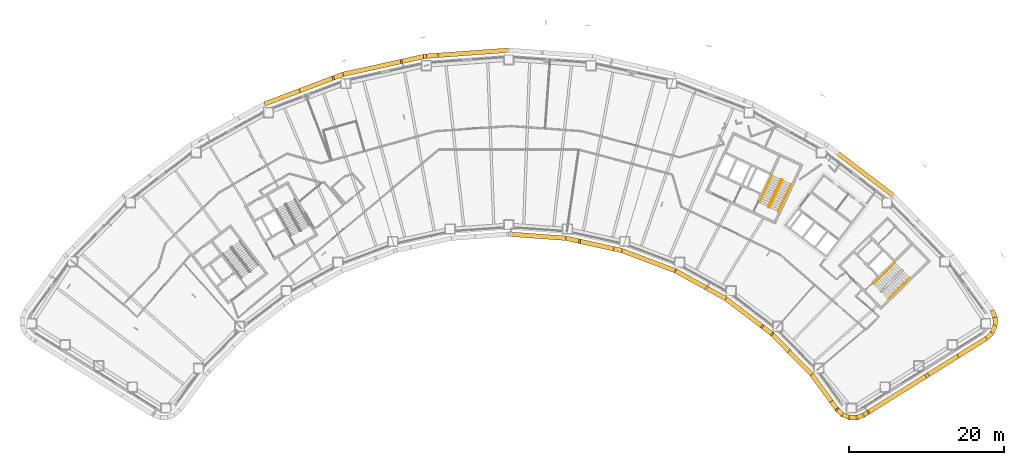
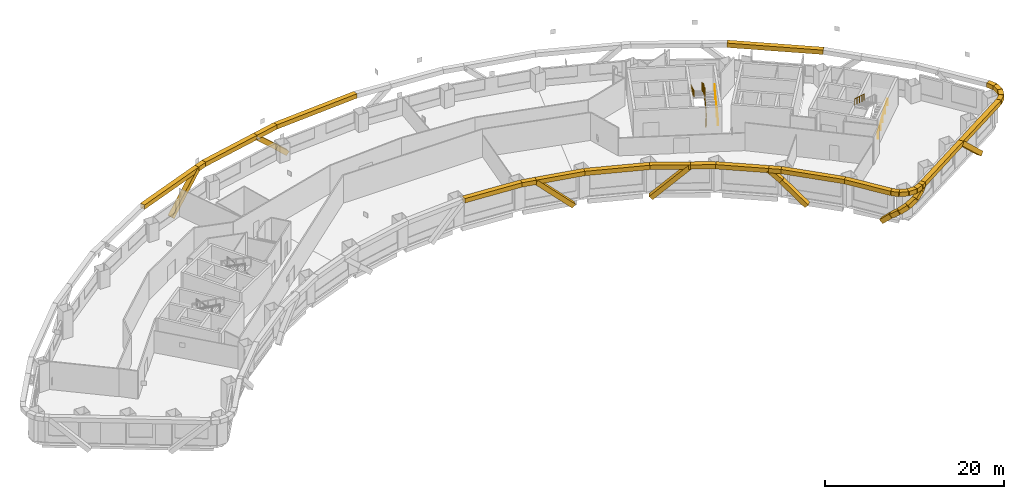
# One storey, part 17 of 19: 41 coverings, 5 railings.
"""IFC4 building model written with IfcOpenShell, lengths in metres."""

from ifc_helpers import new_model, si_unit, direction, frame, origin, origin_2d, place, context, subcontext, project, spatial, rectangle, circle, extrude, material, material_profile, profile_set, type_object, element, save


model = new_model("IFC4")

# Units and contexts
model_context = context("Model", 3, precision=1e-05, world=origin(), true_north=direction((0.0, 1.0)))
body_context = subcontext(model_context, "Body", "Model", "MODEL_VIEW")
ifc_project = project(units=[si_unit("LENGTHUNIT", "METRE"), si_unit("AREAUNIT", "SQUARE_METRE"), si_unit("VOLUMEUNIT", "CUBIC_METRE"), si_unit("PLANEANGLEUNIT", "RADIAN"), si_unit("MASSUNIT", "GRAM", prefix="KILO")], contexts=[model_context])

# Site, building, storey
site_placement = place(None, origin())
site = spatial("IfcSite", under=ifc_project, at=site_placement, CompositionType="ELEMENT")
building_placement = place(site_placement, origin())
building = spatial("IfcBuilding", under=site, at=building_placement, Name="Tuul Gate Civic Tower", CompositionType="ELEMENT")
storey_placement = place(building_placement, frame((0.0, 0.0, 56.699951171875)))
storey = spatial("IfcBuildingStorey", under=building, at=storey_placement, Name="Level 12", CompositionType="ELEMENT", Elevation=56.699951171875)

# Railings
ifc_material_1 = material(Name="Painted steel", Category="steel")
railing_type_1 = type_object("IfcRailingType", Name="Stair guard", PredefinedType="GUARDRAIL", material=ifc_material_1)
railing_1_placement = place(storey_placement, frame((33.645751953125, -5.238525390625, 0.0)))
element("IfcRailing", 1, at=railing_1_placement, inside=storey, type_object=railing_type_1, Name="Level 12 ST-4 stair guard 1", PredefinedType="GUARDRAIL", context=body_context, shape_type="SweptSolid", body=[
    extrude(circle(Radius=0.02392578125, at=origin_2d()), frame((0.0, 0.0, 1.076171875), z_axis=(-0.906307919131, 0.422617978463, 0.0), x_axis=(-0.422617978463, -0.906307919131, 0.0)), (0.0, 0.0, 1.0), 0.099853515625),
    extrude(circle(Radius=0.02392578125, at=origin_2d()), frame((-0.090576171875, 0.042236328125, 1.076171875), z_axis=(0.720179819621, -0.082882280952, 0.688818956559), x_axis=(0.114330889033, 0.993442724979, 0.0)), (0.0, 0.0, 1.0), 0.218017578125),
    extrude(circle(Radius=0.02392578125, at=origin_2d()), frame((0.06640625, 0.024169921875, 1.22607421875), z_axis=(0.377946903738, 0.810654114417, 0.447209173356), x_axis=(-0.906336612539, 0.422556439746, 0.0)), (0.0, 0.0, 1.0), 4.3603515625),
    extrude(circle(Radius=0.02392578125, at=origin_2d()), frame((1.71435546875, 3.558837890625, 3.17626953125), z_axis=(-0.342020437038, 0.939692513883, 0.0), x_axis=(-0.939692513883, -0.342020437038, 0.0)), (0.0, 0.0, 1.0), 0.070556640625),
    extrude(circle(Radius=0.02392578125, at=origin_2d()), frame((1.690185546875, 3.625244140625, 3.17626953125), z_axis=(-0.906307919131, 0.422617978463, 0.0), x_axis=(-0.422617978463, -0.906307919131, 0.0)), (0.0, 0.0, 1.0), 0.099853515625),
    extrude(circle(Radius=0.02392578125, at=origin_2d()), frame((1.599609375, 3.66748046875, 3.17626953125), z_axis=(-0.40070210376, -0.145843780413, 0.904526072458), x_axis=(0.342020437038, -0.939692513883, 0.0)), (0.0, 0.0, 1.0), 0.165771484375),
    extrude(circle(Radius=0.02392578125, at=origin_2d()), frame((1.533203125, 3.643310546875, 3.326171875), z_axis=(-0.377946903738, -0.810654114417, 0.447209173356), x_axis=(0.906336612539, -0.422556439746, 0.0)), (0.0, 0.0, 1.0), 4.3603515625),
    extrude(circle(Radius=0.02099609375, at=origin_2d()), origin(), (0.0, 0.0, 1.0), 1.052001953125),
    extrude(circle(Radius=0.02099609375, at=origin_2d()), frame((-0.090576171875, 0.042236328125, 0.0)), (0.0, 0.0, 1.0), 1.052001953125),
    extrude(circle(Radius=0.02099609375, at=origin_2d()), frame((0.06640625, 0.024169921875, 0.150146484375)), (0.0, 0.0, 1.0), 1.052001953125),
    extrude(circle(Radius=0.02099609375, at=origin_2d()), frame((0.478515625, 0.90771484375, 0.6376953125)), (0.0, 0.0, 1.0), 1.052001953125),
    extrude(circle(Radius=0.02099609375, at=origin_2d()), frame((0.890380859375, 1.79150390625, 1.125)), (0.0, 0.0, 1.0), 1.052001953125),
    extrude(circle(Radius=0.02099609375, at=origin_2d()), frame((1.30224609375, 2.67529296875, 1.612548828125)), (0.0, 0.0, 1.0), 1.052001953125),
    extrude(circle(Radius=0.02099609375, at=origin_2d()), frame((1.71435546875, 3.558837890625, 2.10009765625)), (0.0, 0.0, 1.0), 1.052001953125),
    extrude(circle(Radius=0.02099609375, at=origin_2d()), frame((1.690185546875, 3.625244140625, 2.10009765625)), (0.0, 0.0, 1.0), 1.052001953125),
    extrude(circle(Radius=0.02099609375, at=origin_2d()), frame((1.599609375, 3.66748046875, 2.10009765625)), (0.0, 0.0, 1.0), 1.052001953125),
    extrude(circle(Radius=0.02099609375, at=origin_2d()), frame((1.533203125, 3.643310546875, 2.25)), (0.0, 0.0, 1.0), 1.052001953125),
    extrude(circle(Radius=0.02099609375, at=origin_2d()), frame((1.12109375, 2.759765625, 2.737548828125)), (0.0, 0.0, 1.0), 1.052001953125),
    extrude(circle(Radius=0.02099609375, at=origin_2d()), frame((0.709228515625, 1.8759765625, 3.22509765625)), (0.0, 0.0, 1.0), 1.052001953125),
    extrude(circle(Radius=0.02099609375, at=origin_2d()), frame((0.29736328125, 0.9921875, 3.71240234375)), (0.0, 0.0, 1.0), 1.052001953125),
    extrude(circle(Radius=0.02099609375, at=origin_2d()), frame((-0.11474609375, 0.108642578125, 4.199951171875)), (0.0, 0.0, 1.0), 1.052001953125),
])
ifc_material_2 = material(Name="Painted steel", Category="steel")
railing_type_2 = type_object("IfcRailingType", Name="Stair handrail", PredefinedType="HANDRAIL", material=ifc_material_2)
railing_2_placement = place(storey_placement, frame((49.05126953125, -17.028076171875, 0.150146484375)))
element("IfcRailing", 2, at=railing_2_placement, inside=storey, type_object=railing_type_2, Name="Level 12 ST-3 stair handrail 1", PredefinedType="HANDRAIL", context=body_context, shape_type="SweptSolid", body=[
    extrude(circle(Radius=0.02392578125, at=origin_2d()), frame((0.0, 0.0, 0.8759765625), z_axis=(0.638753653487, 0.626099522554, 0.447205945863), x_axis=(-0.699997553204, 0.714145241186, 0.0)), (0.0, 0.0, 1.0), 4.3603515625),
    extrude(circle(Radius=0.02099609375, at=origin_2d()), origin(), (0.0, 0.0, 1.0), 0.851806640625),
    extrude(circle(Radius=0.02099609375, at=origin_2d()), frame((0.6962890625, 0.6826171875, 0.487548828125)), (0.0, 0.0, 1.0), 0.851806640625),
    extrude(circle(Radius=0.02099609375, at=origin_2d()), frame((1.392578125, 1.364990234375, 0.97509765625)), (0.0, 0.0, 1.0), 0.851806640625),
    extrude(circle(Radius=0.02099609375, at=origin_2d()), frame((2.0888671875, 2.04736328125, 1.46240234375)), (0.0, 0.0, 1.0), 0.851806640625),
    extrude(circle(Radius=0.02099609375, at=origin_2d()), frame((2.78515625, 2.72998046875, 1.949951171875)), (0.0, 0.0, 1.0), 0.851806640625),
])
railing_3_placement = place(storey_placement, frame((49.9462890625, -12.369873046875, 2.25)))
element("IfcRailing", 3, at=railing_3_placement, inside=storey, type_object=railing_type_2, Name="Level 12 ST-3 stair handrail 2", PredefinedType="HANDRAIL", context=body_context, shape_type="SweptSolid", body=[
    extrude(circle(Radius=0.02392578125, at=origin_2d()), frame((0.0, 0.0, 0.8759765625), z_axis=(-0.638753653487, -0.626099522554, 0.447205945863), x_axis=(0.699997553204, -0.714145241186, 0.0)), (0.0, 0.0, 1.0), 4.3603515625),
    extrude(circle(Radius=0.02099609375, at=origin_2d()), origin(), (0.0, 0.0, 1.0), 0.851806640625),
    extrude(circle(Radius=0.02099609375, at=origin_2d()), frame((-0.6962890625, -0.6826171875, 0.487548828125)), (0.0, 0.0, 1.0), 0.851806640625),
    extrude(circle(Radius=0.02099609375, at=origin_2d()), frame((-1.392578125, -1.364990234375, 0.97509765625)), (0.0, 0.0, 1.0), 0.851806640625),
    extrude(circle(Radius=0.02099609375, at=origin_2d()), frame((-2.0888671875, -2.04736328125, 1.46240234375)), (0.0, 0.0, 1.0), 0.851806640625),
    extrude(circle(Radius=0.02099609375, at=origin_2d()), frame((-2.78515625, -2.72998046875, 1.949951171875)), (0.0, 0.0, 1.0), 0.851806640625),
])
railing_4_placement = place(storey_placement, frame((34.844970703125, -5.74267578125, 0.150146484375)))
element("IfcRailing", 4, at=railing_4_placement, inside=storey, type_object=railing_type_2, Name="Level 12 ST-4 stair handrail 1", PredefinedType="HANDRAIL", context=body_context, shape_type="SweptSolid", body=[
    extrude(circle(Radius=0.02392578125, at=origin_2d()), frame((0.0, 0.0, 0.8759765625), z_axis=(0.377994896215, 0.810636958585, 0.447199709091), x_axis=(-0.906312636903, 0.422607861012, 0.0)), (0.0, 0.0, 1.0), 4.3603515625),
    extrude(circle(Radius=0.02099609375, at=origin_2d()), origin(), (0.0, 0.0, 1.0), 0.851806640625),
    extrude(circle(Radius=0.02099609375, at=origin_2d()), frame((0.412109375, 0.8837890625, 0.487548828125)), (0.0, 0.0, 1.0), 0.851806640625),
    extrude(circle(Radius=0.02099609375, at=origin_2d()), frame((0.82421875, 1.767333984375, 0.97509765625)), (0.0, 0.0, 1.0), 0.851806640625),
    extrude(circle(Radius=0.02099609375, at=origin_2d()), frame((1.236083984375, 2.65087890625, 1.46240234375)), (0.0, 0.0, 1.0), 0.851806640625),
    extrude(circle(Radius=0.02099609375, at=origin_2d()), frame((1.648193359375, 3.53466796875, 1.949951171875)), (0.0, 0.0, 1.0), 0.851806640625),
])
railing_5_placement = place(storey_placement, frame((34.046142578125, -1.06689453125, 2.25)))
element("IfcRailing", 5, at=railing_5_placement, inside=storey, type_object=railing_type_2, Name="Level 12 ST-4 stair handrail 2", PredefinedType="HANDRAIL", context=body_context, shape_type="SweptSolid", body=[
    extrude(circle(Radius=0.02392578125, at=origin_2d()), frame((0.0, 0.0, 0.8759765625), z_axis=(-0.377994896215, -0.810636958585, 0.447199709091), x_axis=(0.906312636903, -0.422607861012, 0.0)), (0.0, 0.0, 1.0), 4.3603515625),
    extrude(circle(Radius=0.02099609375, at=origin_2d()), origin(), (0.0, 0.0, 1.0), 0.851806640625),
    extrude(circle(Radius=0.02099609375, at=origin_2d()), frame((-0.412109375, -0.8837890625, 0.487548828125)), (0.0, 0.0, 1.0), 0.851806640625),
    extrude(circle(Radius=0.02099609375, at=origin_2d()), frame((-0.82421875, -1.767333984375, 0.97509765625)), (0.0, 0.0, 1.0), 0.851806640625),
    extrude(circle(Radius=0.02099609375, at=origin_2d()), frame((-1.236083984375, -2.65087890625, 1.46240234375)), (0.0, 0.0, 1.0), 0.851806640625),
    extrude(circle(Radius=0.02099609375, at=origin_2d()), frame((-1.648193359375, -3.53466796875, 1.949951171875)), (0.0, 0.0, 1.0), 0.851806640625),
])

# Coverings
ifc_material_3 = material(Name="Terracotta baguette", Category="masonry")
ifc_material_profile = material_profile(ifc_material_3, rectangle(XDim=0.60009765625, YDim=0.60009765625, at=origin_2d()), Name="Terracotta baguette screen frame")
ifc_profile_set = profile_set([ifc_material_profile], Name="Terracotta baguette")
covering_type = type_object("IfcCoveringType", Name="Terracotta baguette screen frame", PredefinedType="CLADDING", material=ifc_profile_set)
covering_1_placement = place(storey_placement, frame((57.901123046875, -24.52685546875, -0.349853515625), z_axis=(-0.621667939257, -0.388428788098, 0.680185305543), x_axis=(0.529887423043, -0.848067991909, 0.0)))
element("IfcCovering", 6, at=covering_1_placement, inside=storey, type_object=covering_type, Name="Baguette 10", PredefinedType="CLADDING", context=body_context, shape_type="SweptSolid", body=[
    extrude(rectangle(XDim=0.60009765625, YDim=0.60009765625, at=origin_2d()), origin(), (0.0, 0.0, 1.0), 6.1748046875),
])
covering_2_placement = place(storey_placement, frame((-9.3173828125, 14.427001953125, -0.349853515625), z_axis=(-0.731921933981, -0.052950070163, 0.679328030209), x_axis=(0.072155305808, -0.997393408763, 0.0)))
element("IfcCovering", 7, at=covering_2_placement, inside=storey, type_object=covering_type, Name="Baguette 85", PredefinedType="CLADDING", context=body_context, shape_type="SweptSolid", body=[
    extrude(rectangle(XDim=0.60009765625, YDim=0.60009765625, at=origin_2d()), origin(), (0.0, 0.0, 1.0), 2.056396484375),
])
covering_3_placement = place(storey_placement, frame((-10.822509765625, 14.318115234375, 1.047119140625), z_axis=(-0.71655887679, -0.15799919077, 0.67939652031), x_axis=(0.215324834594, -0.976542480186, 0.0)))
element("IfcCovering", 8, at=covering_3_placement, inside=storey, type_object=covering_type, Name="Baguette 86", PredefinedType="CLADDING", context=body_context, shape_type="SweptSolid", body=[
    extrude(rectangle(XDim=0.60009765625, YDim=0.60009765625, at=origin_2d()), origin(), (0.0, 0.0, 1.0), 4.125732421875),
])
covering_4_placement = place(storey_placement, frame((-13.77880859375, 13.666259765625, 3.85009765625), z_axis=(-0.976546934006, -0.215304634606, 0.0), x_axis=(0.215304634606, -0.976546934006, 0.0)))
element("IfcCovering", 9, at=covering_4_placement, inside=storey, type_object=covering_type, Name="Baguette 91", PredefinedType="CLADDING", context=body_context, shape_type="SweptSolid", body=[
    extrude(rectangle(XDim=0.60009765625, YDim=0.60009765625, at=origin_2d()), origin(), (0.0, 0.0, 1.0), 7.82421875),
])
covering_5_placement = place(storey_placement, frame((-21.41943359375, 11.981689453125, 3.85009765625), z_axis=(-0.935401674011, -0.353586917544, 0.0), x_axis=(0.353586917544, -0.935401674011, 0.0)))
element("IfcCovering", 10, at=covering_5_placement, inside=storey, type_object=covering_type, Name="Baguette 92", PredefinedType="CLADDING", context=body_context, shape_type="SweptSolid", body=[
    extrude(rectangle(XDim=0.60009765625, YDim=0.60009765625, at=origin_2d()), origin(), (0.0, 0.0, 1.0), 1.248291015625),
])
covering_6_placement = place(storey_placement, frame((-22.587158203125, 11.540283203125, 3.85009765625), z_axis=(-0.686348451438, -0.259508353438, -0.679397687444), x_axis=(0.353664314999, -0.935372413692, 0.0)))
element("IfcCovering", 11, at=covering_6_placement, inside=storey, type_object=covering_type, Name="Baguette 94", PredefinedType="CLADDING", context=body_context, shape_type="SweptSolid", body=[
    extrude(rectangle(XDim=0.60009765625, YDim=0.60009765625, at=origin_2d()), origin(), (0.0, 0.0, 1.0), 6.181884765625),
])
covering_7_placement = place(storey_placement, frame((0.26220703125, -8.679931640625, 3.85009765625), z_axis=(0.997395087783, -0.072132093174, 0.0), x_axis=(0.072132093174, 0.997395087783, 0.0)))
element("IfcCovering", 12, at=covering_7_placement, inside=storey, type_object=covering_type, Name="Baguette 224", PredefinedType="CLADDING", context=body_context, shape_type="SweptSolid", body=[
    extrude(rectangle(XDim=0.60009765625, YDim=0.60009765625, at=origin_2d()), origin(), (0.0, 0.0, 1.0), 7.155029296875),
])
covering_8_placement = place(storey_placement, frame((7.398681640625, -9.196044921875, 3.85009765625), z_axis=(0.97656469943, -0.215224041006, 0.0), x_axis=(0.215224041006, 0.97656469943, 0.0)))
element("IfcCovering", 13, at=covering_8_placement, inside=storey, type_object=covering_type, Name="Baguette 225", PredefinedType="CLADDING", context=body_context, shape_type="SweptSolid", body=[
    extrude(rectangle(XDim=0.60009765625, YDim=0.60009765625, at=origin_2d()), origin(), (0.0, 0.0, 1.0), 1.697021484375),
])
covering_9_placement = place(storey_placement, frame((9.055908203125, -9.561279296875, 3.85009765625), z_axis=(0.708366541993, -0.156134341459, -0.68835957871), x_axis=(0.21524797351, 0.976559424664, 0.0)))
element("IfcCovering", 14, at=covering_9_placement, inside=storey, type_object=covering_type, Name="Baguette 227", PredefinedType="CLADDING", context=body_context, shape_type="SweptSolid", body=[
    extrude(rectangle(XDim=0.60009765625, YDim=0.60009765625, at=origin_2d()), origin(), (0.0, 0.0, 1.0), 6.101318359375),
])
covering_10_placement = place(storey_placement, frame((21.70263671875, -13.48388671875, -0.349853515625), z_axis=(0.634450728977, -0.351636794037, 0.68834863084), x_axis=(0.484762177087, 0.87464600363, 0.0)))
element("IfcCovering", 15, at=covering_10_placement, inside=storey, type_object=covering_type, Name="Baguette 239", PredefinedType="CLADDING", context=body_context, shape_type="SweptSolid", body=[
    extrude(rectangle(XDim=0.60009765625, YDim=0.60009765625, at=origin_2d()), origin(), (0.0, 0.0, 1.0), 6.1015625),
])
covering_11_placement = place(storey_placement, frame((25.57373046875, -15.62939453125, 3.85009765625), z_axis=(0.874584815903, -0.484872560362, 0.0), x_axis=(0.484872560362, 0.874584815903, 0.0)))
element("IfcCovering", 16, at=covering_11_placement, inside=storey, type_object=covering_type, Name="Baguette 244", PredefinedType="CLADDING", context=body_context, shape_type="SweptSolid", body=[
    extrude(rectangle(XDim=0.60009765625, YDim=0.60009765625, at=origin_2d()), origin(), (0.0, 0.0, 1.0), 2.85302734375),
])
covering_12_placement = place(storey_placement, frame((28.06884765625, -17.0126953125, 3.85009765625), z_axis=(0.795578368083, -0.605850691373, 0.0), x_axis=(0.605850691373, 0.795578368083, 0.0)))
element("IfcCovering", 17, at=covering_12_placement, inside=storey, type_object=covering_type, Name="Baguette 245", PredefinedType="CLADDING", context=body_context, shape_type="SweptSolid", body=[
    extrude(rectangle(XDim=0.60009765625, YDim=0.60009765625, at=origin_2d()), origin(), (0.0, 0.0, 1.0), 5.9990234375),
])
covering_13_placement = place(storey_placement, frame((32.841552734375, -20.647216796875, 3.85009765625), z_axis=(0.577125766538, -0.439459304494, -0.68833231022), x_axis=(0.605820279821, 0.795601526241, 0.0)))
element("IfcCovering", 18, at=covering_13_placement, inside=storey, type_object=covering_type, Name="Baguette 248", PredefinedType="CLADDING", context=body_context, shape_type="SweptSolid", body=[
    extrude(rectangle(XDim=0.60009765625, YDim=0.60009765625, at=origin_2d()), origin(), (0.0, 0.0, 1.0), 1.9560546875),
])
covering_14_placement = place(storey_placement, frame((33.970458984375, -21.5068359375, 2.503662109375), z_axis=(0.507776102348, -0.518023497593, -0.688342273746), x_axis=(0.714134909565, 0.700008093482, 0.0)))
element("IfcCovering", 19, at=covering_14_placement, inside=storey, type_object=covering_type, Name="Baguette 249", PredefinedType="CLADDING", context=body_context, shape_type="SweptSolid", body=[
    extrude(rectangle(XDim=0.60009765625, YDim=0.60009765625, at=origin_2d()), origin(), (0.0, 0.0, 1.0), 4.1455078125),
])
covering_15_placement = place(storey_placement, frame((41.828369140625, -30.45361328125, -0.349853515625), z_axis=(0.431205862889, -0.590642022756, 0.68205828546), x_axis=(0.807662774431, 0.589644675037, 0.0)))
element("IfcCovering", 20, at=covering_15_placement, inside=storey, type_object=covering_type, Name="Baguette 276", PredefinedType="CLADDING", context=body_context, shape_type="SweptSolid", body=[
    extrude(rectangle(XDim=0.60009765625, YDim=0.60009765625, at=origin_2d()), origin(), (0.0, 0.0, 1.0), 1.57568359375),
])
covering_16_placement = place(storey_placement, frame((42.5078125, -31.38427734375, 0.724853515625), z_axis=(0.594021810933, -0.556138328738, 0.581247148332), x_axis=(0.683445771731, 0.730001285686, 0.0)))
element("IfcCovering", 21, at=covering_16_placement, inside=storey, type_object=covering_type, Name="Baguette 277", PredefinedType="CLADDING", context=body_context, shape_type="SweptSolid", body=[
    extrude(rectangle(XDim=0.60009765625, YDim=0.60009765625, at=origin_2d()), origin(), (0.0, 0.0, 1.0), 1.1083984375),
])
covering_17_placement = place(storey_placement, frame((43.166259765625, -32.000732421875, 1.369140625), z_axis=(0.775104888691, -0.307199834558, 0.552123784287), x_axis=(0.36845020329, 0.929647485715, 0.0)))
element("IfcCovering", 22, at=covering_17_placement, inside=storey, type_object=covering_type, Name="Baguette 278", PredefinedType="CLADDING", context=body_context, shape_type="SweptSolid", body=[
    extrude(rectangle(XDim=0.60009765625, YDim=0.60009765625, at=origin_2d()), origin(), (0.0, 0.0, 1.0), 1.168212890625),
])
covering_18_placement = place(storey_placement, frame((44.07177734375, -32.359619140625, 2.01416015625), z_axis=(0.833813887637, -0.002301041837, 0.552040855363), x_axis=(0.002759648297, 0.999996192163, 0.0)))
element("IfcCovering", 23, at=covering_18_placement, inside=storey, type_object=covering_type, Name="Baguette 279", PredefinedType="CLADDING", context=body_context, shape_type="SweptSolid", body=[
    extrude(rectangle(XDim=0.60009765625, YDim=0.60009765625, at=origin_2d()), origin(), (0.0, 0.0, 1.0), 1.1669921875),
])
covering_19_placement = place(storey_placement, frame((45.044921875, -32.3623046875, 2.658447265625), z_axis=(0.758091085088, 0.295082547364, 0.581570457426), x_axis=(-0.362733847194, 0.93189278144, 0.0)))
element("IfcCovering", 24, at=covering_19_placement, inside=storey, type_object=covering_type, Name="Baguette 280", PredefinedType="CLADDING", context=body_context, shape_type="SweptSolid", body=[
    extrude(rectangle(XDim=0.60009765625, YDim=0.60009765625, at=origin_2d()), origin(), (0.0, 0.0, 1.0), 1.10791015625),
])
covering_20_placement = place(storey_placement, frame((45.884765625, -32.035400390625, 3.302734375), z_axis=(0.621669803131, 0.38835400098, 0.680226304841), x_axis=(-0.52981289744, 0.848114552231, 0.0)))
element("IfcCovering", 25, at=covering_20_placement, inside=storey, type_object=covering_type, Name="Baguette 281", PredefinedType="CLADDING", context=body_context, shape_type="SweptSolid", body=[
    extrude(rectangle(XDim=0.60009765625, YDim=0.60009765625, at=origin_2d()), origin(), (0.0, 0.0, 1.0), 0.8046875),
])
covering_21_placement = place(storey_placement, frame((46.385009765625, -31.722900390625, 3.85009765625), z_axis=(0.848039206863, 0.52993348981, 0.0), x_axis=(-0.52993348981, 0.848039206863, 0.0)))
element("IfcCovering", 26, at=covering_21_placement, inside=storey, type_object=covering_type, Name="Baguette 284", PredefinedType="CLADDING", context=body_context, shape_type="SweptSolid", body=[
    extrude(rectangle(XDim=0.60009765625, YDim=0.60009765625, at=origin_2d()), origin(), (0.0, 0.0, 1.0), 9.05322265625),
])
covering_22_placement = place(storey_placement, frame((49.693603515625, -3.690185546875, 3.85009765625), z_axis=(-0.795618643442, 0.605797799771, 0.0), x_axis=(-0.605797799771, -0.795618643442, 0.0)))
element("IfcCovering", 27, at=covering_22_placement, inside=storey, type_object=covering_type, Name="Baguette 420", PredefinedType="CLADDING", context=body_context, shape_type="SweptSolid", body=[
    extrude(rectangle(XDim=0.60009765625, YDim=0.60009765625, at=origin_2d()), origin(), (0.0, 0.0, 1.0), 10.851318359375),
])
covering_23_placement = place(storey_placement, frame((0.0, 15.10205078125, 3.85009765625), z_axis=(-0.997386817082, -0.072246363998, 0.0), x_axis=(0.072246363998, -0.997386817082, 0.0)))
element("IfcCovering", 28, at=covering_23_placement, inside=storey, type_object=covering_type, Name="Baguette 425", PredefinedType="CLADDING", context=body_context, shape_type="SweptSolid", body=[
    extrude(rectangle(XDim=0.60009765625, YDim=0.60009765625, at=origin_2d()), origin(), (0.0, 0.0, 1.0), 10.850830078125),
])
covering_24_placement = place(storey_placement, frame((-10.822509765625, 14.318115234375, 3.85009765625), z_axis=(-0.976542480186, -0.215324834594, 0.0), x_axis=(0.215324834594, -0.976542480186, 0.0)))
element("IfcCovering", 29, at=covering_24_placement, inside=storey, type_object=covering_type, Name="Baguette 426", PredefinedType="CLADDING", context=body_context, shape_type="SweptSolid", body=[
    extrude(rectangle(XDim=0.60009765625, YDim=0.60009765625, at=origin_2d()), origin(), (0.0, 0.0, 1.0), 3.02734375),
])
covering_25_placement = place(storey_placement, frame((-22.587158203125, 11.540283203125, 3.85009765625), z_axis=(-0.935374930246, -0.353657659139, 0.0), x_axis=(0.353657659139, -0.935374930246, 0.0)))
element("IfcCovering", 30, at=covering_25_placement, inside=storey, type_object=covering_type, Name="Baguette 427", PredefinedType="CLADDING", context=body_context, shape_type="SweptSolid", body=[
    extrude(rectangle(XDim=0.60009765625, YDim=0.60009765625, at=origin_2d()), origin(), (0.0, 0.0, 1.0), 9.6025390625),
])
covering_26_placement = place(storey_placement, frame((9.055908203125, -9.561279296875, 3.85009765625), z_axis=(0.976557161559, -0.215258240742, 0.0), x_axis=(0.215258240742, 0.976557161559, 0.0)))
element("IfcCovering", 31, at=covering_26_placement, inside=storey, type_object=covering_type, Name="Baguette 440", PredefinedType="CLADDING", context=body_context, shape_type="SweptSolid", body=[
    extrude(rectangle(XDim=0.60009765625, YDim=0.60009765625, at=origin_2d()), origin(), (0.0, 0.0, 1.0), 5.720703125),
])
covering_27_placement = place(storey_placement, frame((14.642578125, -10.792724609375, 3.85009765625), z_axis=(0.935363965038, -0.353686659217, 0.0), x_axis=(0.353686659217, 0.935363965038, 0.0)))
element("IfcCovering", 32, at=covering_27_placement, inside=storey, type_object=covering_type, Name="Baguette 441", PredefinedType="CLADDING", context=body_context, shape_type="SweptSolid", body=[
    extrude(rectangle(XDim=0.60009765625, YDim=0.60009765625, at=origin_2d()), origin(), (0.0, 0.0, 1.0), 7.417724609375),
])
covering_28_placement = place(storey_placement, frame((21.580810546875, -13.416259765625, 3.85009765625), z_axis=(0.874636136261, -0.484779980141, 0.0), x_axis=(0.484779980141, 0.874636136261, 0.0)))
element("IfcCovering", 33, at=covering_28_placement, inside=storey, type_object=covering_type, Name="Baguette 442", PredefinedType="CLADDING", context=body_context, shape_type="SweptSolid", body=[
    extrude(rectangle(XDim=0.60009765625, YDim=0.60009765625, at=origin_2d()), origin(), (0.0, 0.0, 1.0), 4.565185546875),
])
covering_29_placement = place(storey_placement, frame((32.841552734375, -20.647216796875, 3.85009765625), z_axis=(0.795601526241, -0.605820279821, 0.0), x_axis=(0.605820279821, 0.795601526241, 0.0)))
element("IfcCovering", 34, at=covering_29_placement, inside=storey, type_object=covering_type, Name="Baguette 443", PredefinedType="CLADDING", context=body_context, shape_type="SweptSolid", body=[
    extrude(rectangle(XDim=0.60009765625, YDim=0.60009765625, at=origin_2d()), origin(), (0.0, 0.0, 1.0), 1.4189453125),
])
covering_30_placement = place(storey_placement, frame((33.970458984375, -21.5068359375, 3.85009765625), z_axis=(0.700028633045, -0.714114775731, 0.0), x_axis=(0.714114775731, 0.700028633045, 0.0)))
element("IfcCovering", 35, at=covering_30_placement, inside=storey, type_object=covering_type, Name="Baguette 444", PredefinedType="CLADDING", context=body_context, shape_type="SweptSolid", body=[
    extrude(rectangle(XDim=0.60009765625, YDim=0.60009765625, at=origin_2d()), origin(), (0.0, 0.0, 1.0), 7.41796875),
])
covering_31_placement = place(storey_placement, frame((39.163330078125, -26.80419921875, 3.85009765625), z_axis=(0.589729447422, -0.807600878432, 0.0), x_axis=(0.807600878432, 0.589729447422, 0.0)))
element("IfcCovering", 36, at=covering_31_placement, inside=storey, type_object=covering_type, Name="Baguette 445", PredefinedType="CLADDING", context=body_context, shape_type="SweptSolid", body=[
    extrude(rectangle(XDim=0.60009765625, YDim=0.60009765625, at=origin_2d()), origin(), (0.0, 0.0, 1.0), 5.671142578125),
])
covering_32_placement = place(storey_placement, frame((42.5078125, -31.38427734375, 3.85009765625), z_axis=(0.730001285686, -0.683445771731, 0.0), x_axis=(0.683445771731, 0.730001285686, 0.0)))
element("IfcCovering", 37, at=covering_32_placement, inside=storey, type_object=covering_type, Name="Baguette 446", PredefinedType="CLADDING", context=body_context, shape_type="SweptSolid", body=[
    extrude(rectangle(XDim=0.60009765625, YDim=0.60009765625, at=origin_2d()), origin(), (0.0, 0.0, 1.0), 0.902099609375),
])
covering_33_placement = place(storey_placement, frame((43.166259765625, -32.000732421875, 3.85009765625), z_axis=(0.929647485715, -0.36845020329, 0.0), x_axis=(0.36845020329, 0.929647485715, 0.0)))
element("IfcCovering", 38, at=covering_33_placement, inside=storey, type_object=covering_type, Name="Baguette 447", PredefinedType="CLADDING", context=body_context, shape_type="SweptSolid", body=[
    extrude(rectangle(XDim=0.60009765625, YDim=0.60009765625, at=origin_2d()), origin(), (0.0, 0.0, 1.0), 0.97412109375),
])
covering_34_placement = place(storey_placement, frame((44.07177734375, -32.359619140625, 3.85009765625), z_axis=(0.999996192163, -0.002759648297, 0.0), x_axis=(0.002759648297, 0.999996192163, 0.0)))
element("IfcCovering", 39, at=covering_34_placement, inside=storey, type_object=covering_type, Name="Baguette 448", PredefinedType="CLADDING", context=body_context, shape_type="SweptSolid", body=[
    extrude(rectangle(XDim=0.60009765625, YDim=0.60009765625, at=origin_2d()), origin(), (0.0, 0.0, 1.0), 0.97314453125),
])
covering_35_placement = place(storey_placement, frame((45.044921875, -32.3623046875, 3.85009765625), z_axis=(0.93189278144, 0.362733847194, 0.0), x_axis=(-0.362733847194, 0.93189278144, 0.0)))
element("IfcCovering", 40, at=covering_35_placement, inside=storey, type_object=covering_type, Name="Baguette 449", PredefinedType="CLADDING", context=body_context, shape_type="SweptSolid", body=[
    extrude(rectangle(XDim=0.60009765625, YDim=0.60009765625, at=origin_2d()), origin(), (0.0, 0.0, 1.0), 0.901123046875),
])
covering_36_placement = place(storey_placement, frame((45.884765625, -32.035400390625, 3.85009765625), z_axis=(0.848114552231, 0.52981289744, 0.0), x_axis=(-0.52981289744, 0.848114552231, 0.0)))
element("IfcCovering", 41, at=covering_36_placement, inside=storey, type_object=covering_type, Name="Baguette 450", PredefinedType="CLADDING", context=body_context, shape_type="SweptSolid", body=[
    extrude(rectangle(XDim=0.60009765625, YDim=0.60009765625, at=origin_2d()), origin(), (0.0, 0.0, 1.0), 0.58984375),
])
covering_37_placement = place(storey_placement, frame((54.0625, -26.92529296875, 3.85009765625), z_axis=(0.848063445072, 0.529894700042, 0.0), x_axis=(-0.529894700042, 0.848063445072, 0.0)))
element("IfcCovering", 42, at=covering_37_placement, inside=storey, type_object=covering_type, Name="Baguette 451", PredefinedType="CLADDING", context=body_context, shape_type="SweptSolid", body=[
    extrude(rectangle(XDim=0.60009765625, YDim=0.60009765625, at=origin_2d()), origin(), (0.0, 0.0, 1.0), 9.052978515625),
])
covering_38_placement = place(storey_placement, frame((61.739990234375, -22.128173828125, 3.85009765625), z_axis=(0.722137314744, 0.691749737011, 0.0), x_axis=(-0.691749737011, 0.722137314744, 0.0)))
element("IfcCovering", 43, at=covering_38_placement, inside=storey, type_object=covering_type, Name="Baguette 452", PredefinedType="CLADDING", context=body_context, shape_type="SweptSolid", body=[
    extrude(rectangle(XDim=0.60009765625, YDim=0.60009765625, at=origin_2d()), origin(), (0.0, 0.0, 1.0), 0.98828125),
])
covering_39_placement = place(storey_placement, frame((62.45361328125, -21.444580078125, 3.85009765625), z_axis=(0.385784883999, 0.922588761734, 0.0), x_axis=(-0.922588761734, 0.385784883999, 0.0)))
element("IfcCovering", 44, at=covering_39_placement, inside=storey, type_object=covering_type, Name="Baguette 453", PredefinedType="CLADDING", context=body_context, shape_type="SweptSolid", body=[
    extrude(rectangle(XDim=0.60009765625, YDim=0.60009765625, at=origin_2d()), origin(), (0.0, 0.0, 1.0), 1.06689453125),
])
covering_40_placement = place(storey_placement, frame((62.865234375, -20.460205078125, 3.85009765625), z_axis=(-0.014650442147, 0.999892676513, 0.0), x_axis=(-0.999892676513, -0.014650442147, 0.0)))
element("IfcCovering", 45, at=covering_40_placement, inside=storey, type_object=covering_type, Name="Baguette 454", PredefinedType="CLADDING", context=body_context, shape_type="SweptSolid", body=[
    extrude(rectangle(XDim=0.60009765625, YDim=0.60009765625, at=origin_2d()), origin(), (0.0, 0.0, 1.0), 1.06640625),
])
covering_41_placement = place(storey_placement, frame((62.849609375, -19.393798828125, 3.85009765625), z_axis=(-0.412928742672, 0.910763335601, 0.0), x_axis=(-0.910763335601, -0.412928742672, 0.0)))
element("IfcCovering", 46, at=covering_41_placement, inside=storey, type_object=covering_type, Name="Baguette 455", PredefinedType="CLADDING", context=body_context, shape_type="SweptSolid", body=[
    extrude(rectangle(XDim=0.60009765625, YDim=0.60009765625, at=origin_2d()), origin(), (0.0, 0.0, 1.0), 0.9892578125),
])

save(model, "model.ifc")
